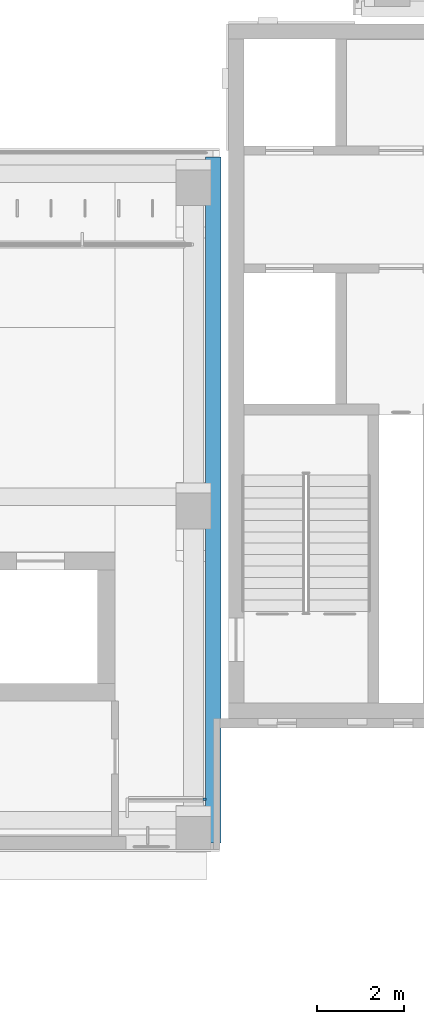
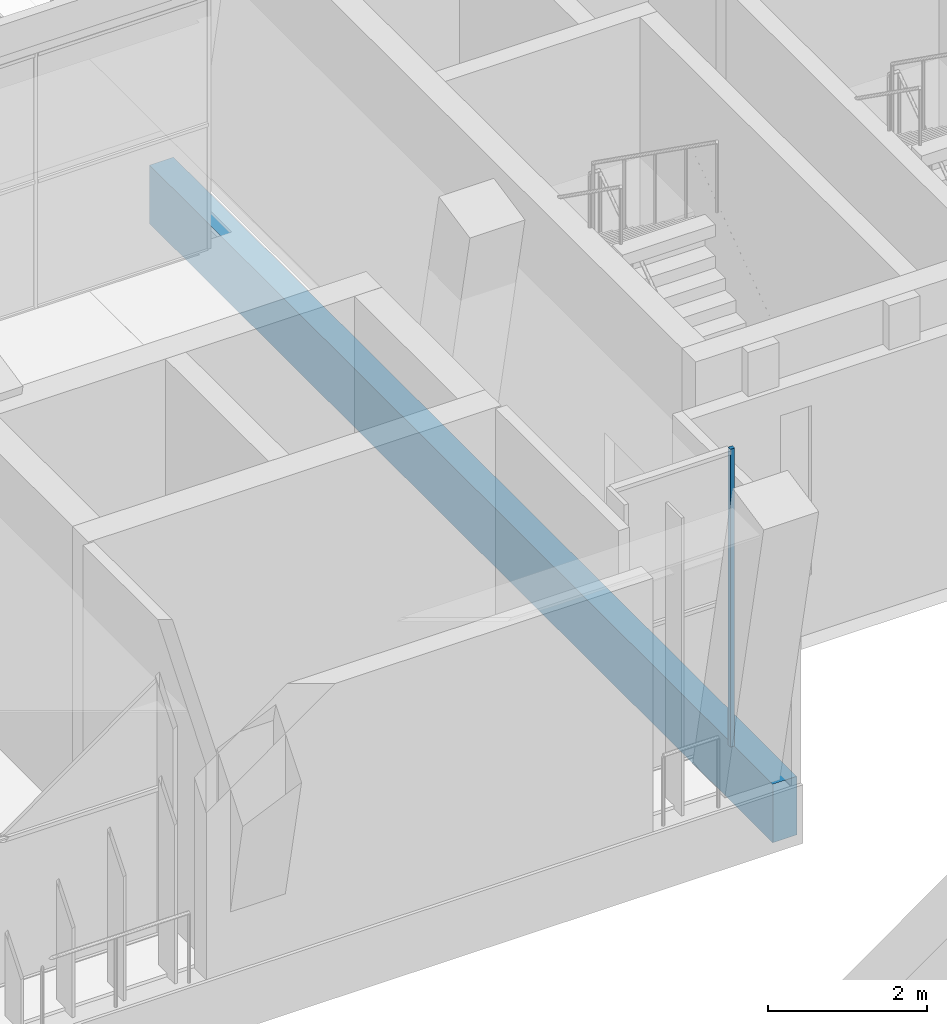
# One storey, part 20 of 89: 1 beam, 1 member, 1 element without a shape of its own.
"""IFC4 building model written with IfcOpenShell, lengths in metres."""

from ifc_helpers import new_model, si_unit, direction, frame, origin, origin_2d, place, context, subcontext, project, spatial, rectangle, extrude, material, material_profile, profile_set, type_object, element, aggregate, save


model = new_model("IFC4")

# Units and contexts
model_context = context("Model", 3, precision=1e-05, world=origin(), true_north=direction((0.0, 1.0)))
body_context = subcontext(model_context, "Body", "Model", "MODEL_VIEW")
ifc_project = project(units=[si_unit("LENGTHUNIT", "METRE"), si_unit("AREAUNIT", "SQUARE_METRE"), si_unit("VOLUMEUNIT", "CUBIC_METRE"), si_unit("PLANEANGLEUNIT", "RADIAN"), si_unit("MASSUNIT", "GRAM", prefix="KILO")], contexts=[model_context])

# Site, building, storey
site_placement = place(None, origin())
site = spatial("IfcSite", under=ifc_project, at=site_placement, CompositionType="ELEMENT")
building_placement = place(site_placement, origin())
building = spatial("IfcBuilding", under=site, at=building_placement, Name="Lantern Court Media Centre", CompositionType="ELEMENT")
storey_placement = place(building_placement, frame((0.0, 0.0, 14.39990234375)))
storey = spatial("IfcBuildingStorey", under=building, at=storey_placement, Name="L03", CompositionType="ELEMENT", Elevation=14.39990234375)

# Curtain wall, member
ifc_material_1 = material(Name="Curtain wall bay 3000")
curtain_wall_type = type_object("IfcCurtainWallType", Name="Curtain wall bay 3000", PredefinedType="NOTDEFINED", material=ifc_material_1)
curtain_wall_placement = place(storey_placement, origin())
curtain_wall = element("IfcCurtainWall", 1, at=curtain_wall_placement, inside=storey, type_object=curtain_wall_type, Name="Curtain wall S outer L03", PredefinedType="NOTDEFINED")
ifc_material_2 = material(Name="Anodised aluminium", Category="aluminium")
ifc_material_profile_1 = material_profile(ifc_material_2, rectangle(XDim=0.06005859375, YDim=0.06005859375, at=origin_2d()), Name="AL 60x60")
ifc_profile_set_1 = profile_set([ifc_material_profile_1], Name="Anodised aluminium")
member_type = type_object("IfcMemberType", Name="Curtain wall mullion 60x60", PredefinedType="MULLION", material=ifc_profile_set_1)
member_placement = place(storey_placement, frame((79.550048828125, 46.14990234375, 0.0), z_axis=(0.0, 0.0, 1.0), x_axis=(0.0, 1.0, 0.0)))
member = element("IfcMember", 2, at=member_placement, type_object=member_type, Name="CW1 mullion 2", PredefinedType="MULLION", context=body_context, shape_type="SweptSolid", body=[
    extrude(rectangle(XDim=0.06005859375, YDim=0.06005859375, at=origin_2d()), origin(), (0.0, 0.0, 1.0), 4.580078125),
])
aggregate(curtain_wall, [member])

# Beam
ifc_material_3 = material(Name="Concrete C35", Category="concrete")
ifc_material_profile_2 = material_profile(ifc_material_3, rectangle(XDim=0.35009765625, YDim=0.89990234375, at=origin_2d()), Name="RC 350x900")
ifc_profile_set_2 = profile_set([ifc_material_profile_2], Name="Concrete C35")
beam_type = type_object("IfcBeamType", Name="RC BEAM 350x900", PredefinedType="BEAM", material=ifc_profile_set_2)
beam_placement = place(storey_placement, frame((79.75, 45.14990234375, -0.449951171875), z_axis=(0.0, 1.0, 0.0), x_axis=(-1.0, 0.0, 0.0)))
element("IfcBeam", 3, at=beam_placement, inside=storey, type_object=beam_type, Name="EB-S-L03-D", PredefinedType="BEAM", context=body_context, shape_type="SweptSolid", body=[
    extrude(rectangle(XDim=0.35009765625, YDim=0.89990234375, at=origin_2d()), origin(), (0.0, 0.0, 1.0), 15.7001953125),
])

save(model, "model.ifc")
